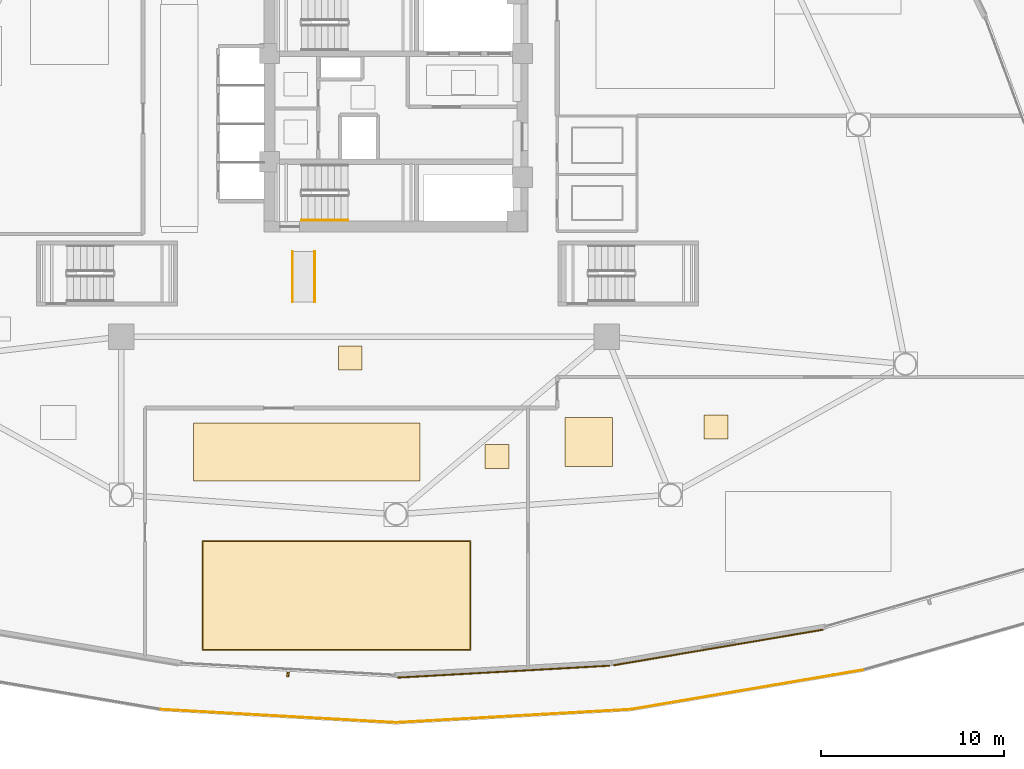
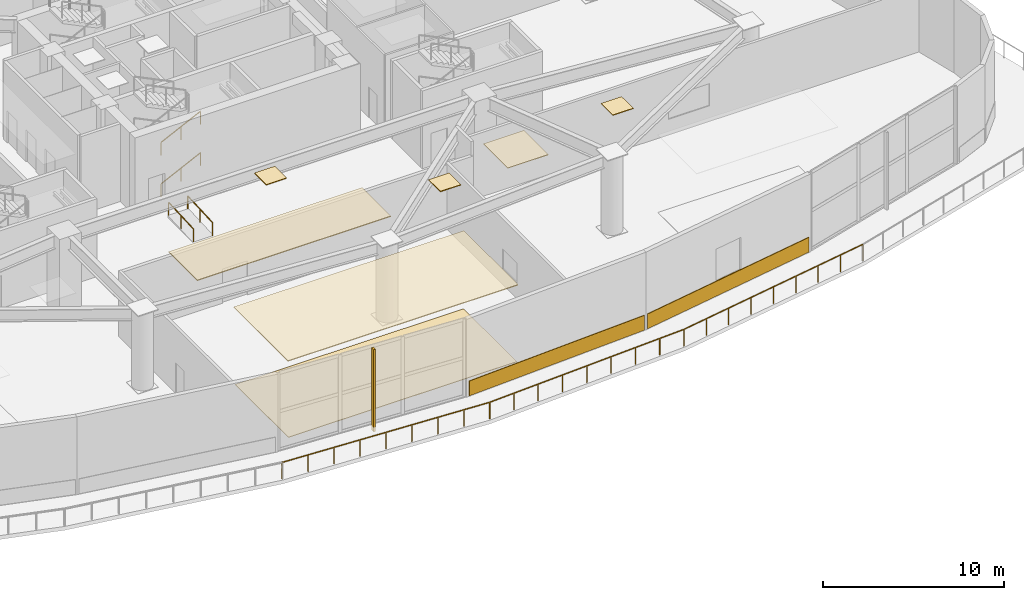
# One storey, part 19 of 26: 9 coverings, 7 railings, 1 shading device.
"""IFC4 building model written with IfcOpenShell, lengths in metres."""

from ifc_helpers import new_model, si_unit, direction, frame, origin, origin_2d, place, context, subcontext, project, spatial, polyline, rectangle, outline, extrude, source, transform, mapped, material, layer, layer_set, type_object, type_shapes, element, save


model = new_model("IFC4")

# Units and contexts
model_context = context("Model", 3, precision=1e-05, world=origin(), true_north=direction((0.0, 1.0)))
body_context = subcontext(model_context, "Body", "Model", "MODEL_VIEW")
ifc_project = project(units=[si_unit("LENGTHUNIT", "METRE"), si_unit("AREAUNIT", "SQUARE_METRE"), si_unit("VOLUMEUNIT", "CUBIC_METRE"), si_unit("PLANEANGLEUNIT", "RADIAN"), si_unit("MASSUNIT", "GRAM", prefix="KILO")], contexts=[model_context])

# Site, building, storey
site_placement = place(None, origin())
site = spatial("IfcSite", under=ifc_project, at=site_placement, CompositionType="ELEMENT")
building_placement = place(site_placement, origin())
building = spatial("IfcBuilding", under=site, at=building_placement, Name="Tavelor Broadcast Tower", CompositionType="ELEMENT")
storey_placement = place(building_placement, frame((0.0, 0.0, 5.800048828125)))
storey = spatial("IfcBuildingStorey", under=building, at=storey_placement, Name="L01", CompositionType="ELEMENT", Elevation=5.800048828125)

# Covering
ifc_material_1 = material(Name="Copper-Bronze Anodized Aluminium", Category="aluminium")
ifc_layer_1 = layer(ifc_material_1, 0.044921875)
ifc_layer_set_1 = layer_set([ifc_layer_1], Name="Copper-Bronze Anodized Aluminium")
covering_type_1 = type_object("IfcCoveringType", Name="Anodised Bronze Linear Slatted Concourse Ceiling 45 mm", PredefinedType="CEILING", material=ifc_layer_set_1)
covering_1_placement = place(storey_placement, frame((0.0, 0.0, 5.204833984375)))
element("IfcCovering", 1, at=covering_1_placement, inside=storey, type_object=covering_type_1, Name="L01 Suspended Acoustic Ceiling 0036", PredefinedType="CEILING", context=body_context, shape_type="SweptSolid", body=[
    extrude(outline(polyline([(46.85009765625, 30.683837890625), (48.14990234375, 30.683837890625), (48.14990234375, 31.98388671875), (46.85009765625, 31.98388671875), (46.85009765625, 30.683837890625)])), origin(), (0.0, 0.0, 1.0), 0.045166015625),
])

# Railings
ifc_material_2 = material(Name="Steel S355", Category="steel")
railing_type_1 = type_object("IfcRailingType", Name="Continuous Brushed Stainless Handrail 900 mm", PredefinedType="HANDRAIL", material=ifc_material_2)
railing_1_placement = place(storey_placement, frame((44.85009765625, 38.85009765625, 0.175048828125)))
element("IfcRailing", 2, at=railing_1_placement, inside=storey, type_object=railing_type_1, Name="L01 ST2 stair handrail 1", PredefinedType="HANDRAIL", context=body_context, shape_type="SweptSolid", body=[
    extrude(rectangle(XDim=0.048095703125, YDim=0.048095703125, at=origin_2d()), frame((0.0, 0.0, 0.8759765625), z_axis=(0.899389741696, 0.0, 0.437147678172), x_axis=(0.0, 1.0, 0.0)), (0.0, 0.0, 1.0), 2.802001953125),
    extrude(rectangle(XDim=0.0419921875, YDim=0.0419921875, at=origin_2d()), origin(), (0.0, 0.0, 1.0), 0.851806640625),
    extrude(rectangle(XDim=0.0419921875, YDim=0.0419921875, at=origin_2d()), frame((1.260009765625, 0.0, 0.6123046875)), (0.0, 0.0, 1.0), 0.851806640625),
    extrude(rectangle(XDim=0.0419921875, YDim=0.0419921875, at=origin_2d()), frame((2.52001953125, 0.0, 1.224853515625)), (0.0, 0.0, 1.0), 0.851806640625),
])
railing_2_placement = place(storey_placement, frame((44.85009765625, 38.85009765625, 2.974853515625)))
element("IfcRailing", 3, at=railing_2_placement, inside=storey, type_object=railing_type_1, Name="L01 ST2 stair handrail 3", PredefinedType="HANDRAIL", context=body_context, shape_type="SweptSolid", body=[
    extrude(rectangle(XDim=0.048095703125, YDim=0.048095703125, at=origin_2d()), frame((0.0, 0.0, 0.8759765625), z_axis=(0.899355482384, 0.0, 0.437218156423), x_axis=(0.0, 1.0, 0.0)), (0.0, 0.0, 1.0), 2.802001953125),
    extrude(rectangle(XDim=0.0419921875, YDim=0.0419921875, at=origin_2d()), origin(), (0.0, 0.0, 1.0), 0.851806640625),
    extrude(rectangle(XDim=0.0419921875, YDim=0.0419921875, at=origin_2d()), frame((1.260009765625, 0.0, 0.612548828125)), (0.0, 0.0, 1.0), 0.851806640625),
    extrude(rectangle(XDim=0.0419921875, YDim=0.0419921875, at=origin_2d()), frame((2.52001953125, 0.0, 1.22509765625)), (0.0, 0.0, 1.0), 0.851806640625),
])
for number, where, name in (
    (4, (44.35009765625, 34.39990234375, 0.0), "L01 Accessible Ramp Left Handrail"),
    (5, (45.570068359375, 34.39990234375, 0.0), "L01 Accessible Ramp Right Handrail"),
):
    element("IfcRailing", number, at=place(storey_placement, frame(where)), inside=storey, type_object=railing_type_1, Name=name, PredefinedType="HANDRAIL", context=body_context, shape_type="SweptSolid", body=[
        extrude(rectangle(XDim=0.048095703125, YDim=0.048095703125, at=origin_2d()), frame((0.0, 0.0, 0.8759765625), z_axis=(0.0, 0.99870862589, 0.050804336171), x_axis=(-1.0, 0.0, 0.0)), (0.0, 0.0, 1.0), 2.753662109375),
        extrude(rectangle(XDim=0.0419921875, YDim=0.0419921875, at=origin_2d()), origin(), (0.0, 0.0, 1.0), 0.851806640625),
        extrude(rectangle(XDim=0.0419921875, YDim=0.0419921875, at=origin_2d()), frame((0.0, 1.375, 0.06982421875)), (0.0, 0.0, 1.0), 0.851806640625),
        extrude(rectangle(XDim=0.0419921875, YDim=0.0419921875, at=origin_2d()), frame((0.0, 2.75, 0.139892578125)), (0.0, 0.0, 1.0), 0.851806640625),
    ])

# Coverings
ifc_material_3 = material(Name="Acoustic Hardwood Studio Flooring", Category="wood")
ifc_layer_2 = layer(ifc_material_3, 0.034912109375)
ifc_layer_set_2 = layer_set([ifc_layer_2], Name="Acoustic Hardwood Studio Flooring")
covering_type_2 = type_object("IfcCoveringType", Name="Isolated Studio Acoustic Elastomeric Floor Finish 35 mm", PredefinedType="FLOORING", material=ifc_layer_set_2)
covering_2_placement = place(storey_placement, origin())
element("IfcCovering", 6, at=covering_2_placement, inside=storey, type_object=covering_type_2, Name="L01 Broadcast Floor Finish 0015", PredefinedType="FLOORING", context=body_context, shape_type="SweptSolid", body=[
    extrude(outline(polyline([(39.457763671875, 15.433837890625), (54.042236328125, 15.433837890625), (54.042236328125, 21.316162109375), (39.457763671875, 21.316162109375), (39.457763671875, 15.433837890625)])), origin(), (0.0, 0.0, 1.0), 0.034912109375),
])
ifc_material_4 = material(Name="Acoustic Perforated Timber Baffle", Category="wood")
ifc_layer_3 = layer(ifc_material_4, 0.054931640625)
ifc_layer_set_3 = layer_set([ifc_layer_3], Name="Acoustic Perforated Timber Baffle")
covering_type_3 = type_object("IfcCoveringType", Name="Micro-Perforated Acoustic Baffle Studio Ceiling 55 mm", PredefinedType="CEILING", material=ifc_layer_set_3)
covering_3_placement = place(storey_placement, frame((0.0, 0.0, 5.195068359375)))
element("IfcCovering", 7, at=covering_3_placement, inside=storey, type_object=covering_type_3, Name="L01 Suspended Acoustic Ceiling 0037", PredefinedType="CEILING", context=body_context, shape_type="SweptSolid", body=[
    extrude(outline(polyline([(39.400146484375, 15.3779296875), (54.099853515625, 15.3779296875), (54.099853515625, 21.384521484375), (39.400146484375, 21.384521484375), (39.400146484375, 15.3779296875)])), origin(), (0.0, 0.0, 1.0), 0.054931640625),
])
covering_4_placement = place(storey_placement, frame((0.0, 0.0, 5.195068359375)))
element("IfcCovering", 8, at=covering_4_placement, inside=storey, type_object=covering_type_3, Name="L01 Suspended Acoustic Ceiling 0038", PredefinedType="CEILING", context=body_context, shape_type="SweptSolid", body=[
    extrude(outline(polyline([(38.945556640625, 24.618408203125), (51.30712890625, 24.618408203125), (51.30712890625, 27.791015625), (38.945556640625, 27.791015625), (38.945556640625, 24.618408203125)])), origin(), (0.0, 0.0, 1.0), 0.054931640625),
])
covering_5_placement = place(storey_placement, frame((0.0, 0.0, 5.195068359375)))
element("IfcCovering", 9, at=covering_5_placement, inside=storey, type_object=covering_type_3, Name="L01 Suspended Acoustic Ceiling 0039", PredefinedType="CEILING", context=body_context, shape_type="SweptSolid", body=[
    extrude(outline(polyline([(54.864990234375, 25.309814453125), (56.1650390625, 25.309814453125), (56.1650390625, 26.60986328125), (54.864990234375, 26.60986328125), (54.864990234375, 25.309814453125)])), origin(), (0.0, 0.0, 1.0), 0.054931640625),
])

# Railings
railing_type_2 = type_object("IfcRailingType", Name="Planted Terrace Laminated Glass Balustrade 1150 mm", PredefinedType="BALUSTRADE", material=ifc_material_2)
railing_3_placement = place(storey_placement, frame((37.17138671875, 12.1572265625, 0.0)))
element("IfcRailing", 10, at=railing_3_placement, inside=storey, type_object=railing_type_2, Name="L01 Cascading Garden Terrace 1 Balustrade #20", PredefinedType="BALUSTRADE", context=body_context, shape_type="SweptSolid", body=[
    extrude(rectangle(XDim=0.048095703125, YDim=0.048095703125, at=origin_2d()), frame((0.0, 0.0, 1.1259765625), z_axis=(0.998425976761, -0.056085371785, 0.0), x_axis=(0.056085371785, 0.998425976761, 0.0)), (0.0, 0.0, 1.0), 12.8544921875),
    extrude(rectangle(XDim=0.0419921875, YDim=0.0419921875, at=origin_2d()), origin(), (0.0, 0.0, 1.0), 1.101806640625),
    extrude(rectangle(XDim=0.0419921875, YDim=0.0419921875, at=origin_2d()), frame((1.604248046875, -0.090087890625, 0.0)), (0.0, 0.0, 1.0), 1.101806640625),
    extrude(rectangle(XDim=0.0419921875, YDim=0.0419921875, at=origin_2d()), frame((3.20849609375, -0.18017578125, 0.0)), (0.0, 0.0, 1.0), 1.101806640625),
    extrude(rectangle(XDim=0.0419921875, YDim=0.0419921875, at=origin_2d()), frame((4.812744140625, -0.270263671875, 0.0)), (0.0, 0.0, 1.0), 1.101806640625),
    extrude(rectangle(XDim=0.0419921875, YDim=0.0419921875, at=origin_2d()), frame((6.4169921875, -0.3603515625, 0.0)), (0.0, 0.0, 1.0), 1.101806640625),
    extrude(rectangle(XDim=0.0419921875, YDim=0.0419921875, at=origin_2d()), frame((8.021484375, -0.45068359375, 0.0)), (0.0, 0.0, 1.0), 1.101806640625),
    extrude(rectangle(XDim=0.0419921875, YDim=0.0419921875, at=origin_2d()), frame((9.625732421875, -0.540771484375, 0.0)), (0.0, 0.0, 1.0), 1.101806640625),
    extrude(rectangle(XDim=0.0419921875, YDim=0.0419921875, at=origin_2d()), frame((11.22998046875, -0.630859375, 0.0)), (0.0, 0.0, 1.0), 1.101806640625),
    extrude(rectangle(XDim=0.0419921875, YDim=0.0419921875, at=origin_2d()), frame((12.834228515625, -0.720947265625, 0.0)), (0.0, 0.0, 1.0), 1.101806640625),
])
railing_4_placement = place(storey_placement, frame((49.994384765625, 11.436279296875, 0.0)))
element("IfcRailing", 11, at=railing_4_placement, inside=storey, type_object=railing_type_2, Name="L01 Cascading Garden Terrace 1 Balustrade #21", PredefinedType="BALUSTRADE", context=body_context, shape_type="SweptSolid", body=[
    extrude(rectangle(XDim=0.048095703125, YDim=0.048095703125, at=origin_2d()), frame((0.0, 0.0, 1.1259765625), z_axis=(0.998425976761, 0.056085371785, 0.0), x_axis=(-0.056085371785, 0.998425976761, 0.0)), (0.0, 0.0, 1.0), 12.8544921875),
    extrude(rectangle(XDim=0.0419921875, YDim=0.0419921875, at=origin_2d()), origin(), (0.0, 0.0, 1.0), 1.101806640625),
    extrude(rectangle(XDim=0.0419921875, YDim=0.0419921875, at=origin_2d()), frame((1.604248046875, 0.090087890625, 0.0)), (0.0, 0.0, 1.0), 1.101806640625),
    extrude(rectangle(XDim=0.0419921875, YDim=0.0419921875, at=origin_2d()), frame((3.20849609375, 0.18017578125, 0.0)), (0.0, 0.0, 1.0), 1.101806640625),
    extrude(rectangle(XDim=0.0419921875, YDim=0.0419921875, at=origin_2d()), frame((4.812744140625, 0.270263671875, 0.0)), (0.0, 0.0, 1.0), 1.101806640625),
    extrude(rectangle(XDim=0.0419921875, YDim=0.0419921875, at=origin_2d()), frame((6.4169921875, 0.3603515625, 0.0)), (0.0, 0.0, 1.0), 1.101806640625),
    extrude(rectangle(XDim=0.0419921875, YDim=0.0419921875, at=origin_2d()), frame((8.021484375, 0.45068359375, 0.0)), (0.0, 0.0, 1.0), 1.101806640625),
    extrude(rectangle(XDim=0.0419921875, YDim=0.0419921875, at=origin_2d()), frame((9.625732421875, 0.540771484375, 0.0)), (0.0, 0.0, 1.0), 1.101806640625),
    extrude(rectangle(XDim=0.0419921875, YDim=0.0419921875, at=origin_2d()), frame((11.22998046875, 0.630859375, 0.0)), (0.0, 0.0, 1.0), 1.101806640625),
    extrude(rectangle(XDim=0.0419921875, YDim=0.0419921875, at=origin_2d()), frame((12.834228515625, 0.720947265625, 0.0)), (0.0, 0.0, 1.0), 1.101806640625),
])
railing_5_placement = place(storey_placement, frame((62.8173828125, 12.156005859375, 0.0)))
element("IfcRailing", 12, at=railing_5_placement, inside=storey, type_object=railing_type_2, Name="L01 Cascading Garden Terrace 1 Balustrade #22", PredefinedType="BALUSTRADE", context=body_context, shape_type="SweptSolid", body=[
    extrude(rectangle(XDim=0.048095703125, YDim=0.048095703125, at=origin_2d()), frame((0.0, 0.0, 1.1259765625), z_axis=(0.985853304723, 0.167610445878, 0.0), x_axis=(-0.167610445878, 0.985853304723, 0.0)), (0.0, 0.0, 1.0), 12.8544921875),
    extrude(rectangle(XDim=0.0419921875, YDim=0.0419921875, at=origin_2d()), origin(), (0.0, 0.0, 1.0), 1.101806640625),
    extrude(rectangle(XDim=0.0419921875, YDim=0.0419921875, at=origin_2d()), frame((1.583984375, 0.269287109375, 0.0)), (0.0, 0.0, 1.0), 1.101806640625),
    extrude(rectangle(XDim=0.0419921875, YDim=0.0419921875, at=origin_2d()), frame((3.168212890625, 0.53857421875, 0.0)), (0.0, 0.0, 1.0), 1.101806640625),
    extrude(rectangle(XDim=0.0419921875, YDim=0.0419921875, at=origin_2d()), frame((4.752197265625, 0.807861328125, 0.0)), (0.0, 0.0, 1.0), 1.101806640625),
    extrude(rectangle(XDim=0.0419921875, YDim=0.0419921875, at=origin_2d()), frame((6.33642578125, 1.0771484375, 0.0)), (0.0, 0.0, 1.0), 1.101806640625),
    extrude(rectangle(XDim=0.0419921875, YDim=0.0419921875, at=origin_2d()), frame((7.92041015625, 1.3466796875, 0.0)), (0.0, 0.0, 1.0), 1.101806640625),
    extrude(rectangle(XDim=0.0419921875, YDim=0.0419921875, at=origin_2d()), frame((9.50439453125, 1.615966796875, 0.0)), (0.0, 0.0, 1.0), 1.101806640625),
    extrude(rectangle(XDim=0.0419921875, YDim=0.0419921875, at=origin_2d()), frame((11.088623046875, 1.88525390625, 0.0)), (0.0, 0.0, 1.0), 1.101806640625),
    extrude(rectangle(XDim=0.0419921875, YDim=0.0419921875, at=origin_2d()), frame((12.672607421875, 2.154541015625, 0.0)), (0.0, 0.0, 1.0), 1.101806640625),
])

# Coverings
ifc_material_5 = material(Name="Kiln-Fired Glazed Terracotta", Category="masonry")
ifc_layer_4 = layer(ifc_material_5, 0.06494140625)
ifc_layer_set_4 = layer_set([ifc_layer_4], Name="Kiln-Fired Glazed Terracotta")
covering_type_4 = type_object("IfcCoveringType", Name="Ribbed Terracotta Rainscreen Spandrel Cladding 65 mm", PredefinedType="CLADDING", material=ifc_layer_set_4)
for number, where, z_axis, x_axis, name in (
    (13, (55.8876953125, 14.218505859375, 0.050048828125), (0.0, 0.0, 1.0), (0.998421217973, 0.05617002316, 0.0), "L01 Terracotta Spandrel Rainscreen 18"),
    (14, (67.588623046875, 15.537353515625, 0.050048828125), (0.0, 0.0, 1.0), (0.985850128464, 0.167629126969, 0.0), "L01 Terracotta Spandrel Rainscreen 19"),
):
    element("IfcCovering", number, at=place(storey_placement, frame(where, z_axis=z_axis, x_axis=x_axis)), inside=storey, type_object=covering_type_4, Name=name, PredefinedType="CLADDING", context=body_context, shape_type="SweptSolid", body=[
        extrude(rectangle(XDim=11.59375, YDim=0.06494140625, at=origin_2d()), origin(), (0.0, 0.0, 1.0), 1.0),
    ])
ifc_material_6 = material(Name="Acoustic Mineral Fibre Tile")
ifc_layer_5 = layer(ifc_material_6, 0.0400390625)
ifc_layer_set_5 = layer_set([ifc_layer_5], Name="Acoustic Mineral Fibre Tile")
covering_type_5 = type_object("IfcCoveringType", Name="Suspended Acoustic Mineral-Fibre Office Ceiling 40 mm", PredefinedType="CEILING", material=ifc_layer_set_5)
covering_6_placement = place(storey_placement, frame((0.0, 0.0, 5.2099609375)))
element("IfcCovering", 15, at=covering_6_placement, inside=storey, type_object=covering_type_5, Name="L01 Suspended Acoustic Ceiling 0044", PredefinedType="CEILING", context=body_context, shape_type="SweptSolid", body=[
    extrude(outline(polyline([(59.227294921875, 25.402587890625), (61.8125, 25.402587890625), (61.8125, 28.096923828125), (59.227294921875, 28.096923828125), (59.227294921875, 25.402587890625)])), origin(), (0.0, 0.0, 1.0), 0.0400390625),
])
covering_7_placement = place(storey_placement, frame((0.0, 0.0, 5.2099609375)))
element("IfcCovering", 16, at=covering_7_placement, inside=storey, type_object=covering_type_5, Name="L01 Suspended Acoustic Ceiling 0045", PredefinedType="CEILING", context=body_context, shape_type="SweptSolid", body=[
    extrude(outline(polyline([(66.80810546875, 26.914794921875), (68.10791015625, 26.914794921875), (68.10791015625, 28.21484375), (66.80810546875, 28.21484375), (66.80810546875, 26.914794921875)])), origin(), (0.0, 0.0, 1.0), 0.0400390625),
])

# Shading device
shading_device_type = type_object("IfcShadingDeviceType", Name="Extruded Terracotta Baguette Sun-Screen 110x240", PredefinedType="JALOUSIE", material=ifc_material_5)
shared_shape = source(origin(), body_context, "Body", "SweptSolid", [
    extrude(rectangle(XDim=0.110107421875, YDim=0.239990234375, at=origin_2d()), origin(), (0.0, 0.0, 1.0), 5.5400390625),
])
type_shapes(shading_device_type, [shared_shape])
shading_device_placement = place(storey_placement, frame((44.103515625, 14.05859375, -0.31005859375), z_axis=(0.0, 0.0, 1.0), x_axis=(0.998421217973, -0.05617002316, 0.0)))
element("IfcShadingDevice", 17, at=shading_device_placement, inside=storey, type_object=shading_device_type, Name="L01 Terracotta Baguette Fin 3", PredefinedType="JALOUSIE", context=body_context, shape_type="MappedRepresentation", body=[
    mapped(shared_shape, transform((0.0, 0.0, 0.0), scale=1.0)),
])

save(model, "model.ifc")
